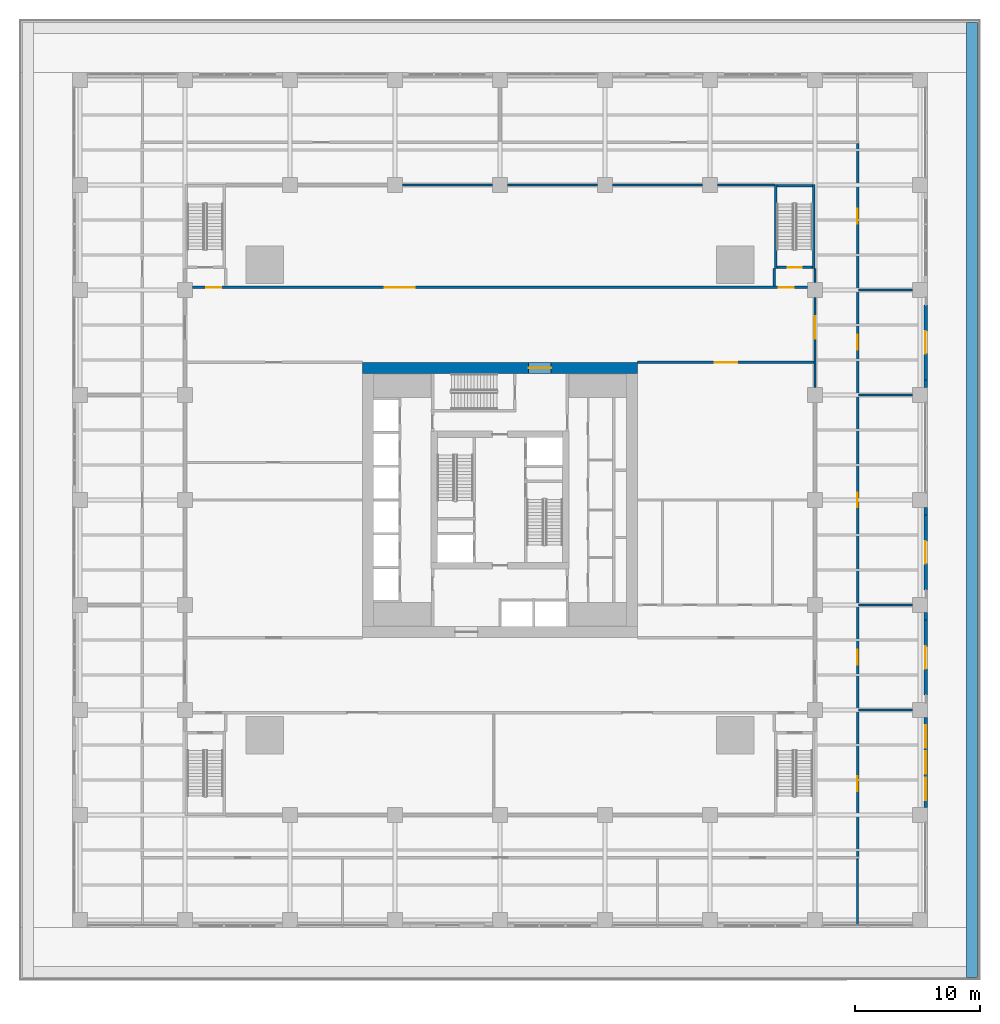
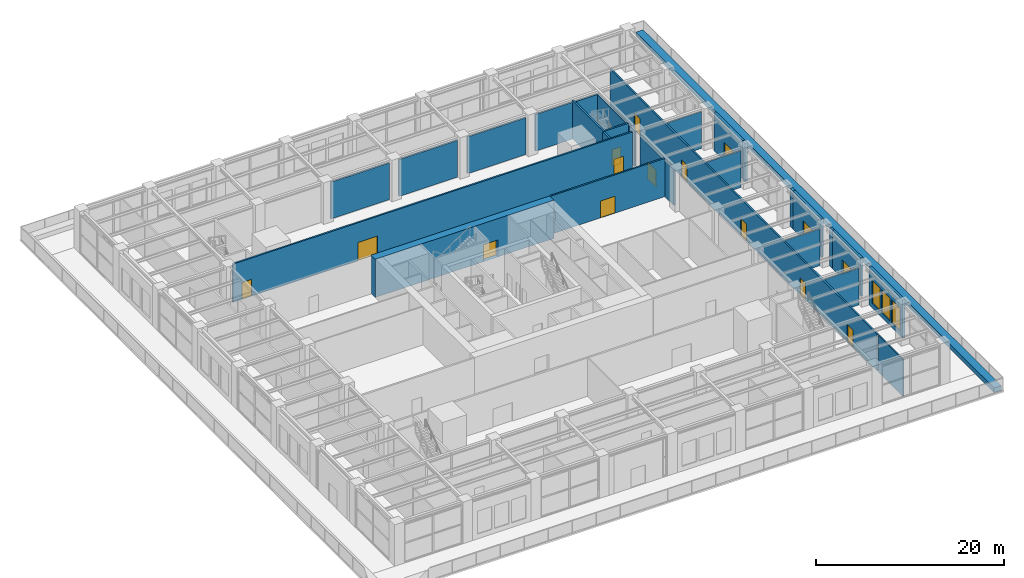
# One storey, part 26 of 36: 28 walls, 15 doors, 3 windows, 18 openings.
"""IFC4 building model written with IfcOpenShell, lengths in metres."""

from ifc_helpers import new_model, si_unit, direction, frame, frame_2d, origin, place, context, subcontext, project, spatial, rectangle, extrude, material, layer, layer_set, type_object, element, fill, save


model = new_model("IFC4")

# Units and contexts
model_context = context("Model", 3, precision=1e-05, world=origin(), true_north=direction((0.0, 1.0)))
body_context = subcontext(model_context, "Body", "Model", "MODEL_VIEW")
ifc_project = project(units=[si_unit("LENGTHUNIT", "METRE"), si_unit("AREAUNIT", "SQUARE_METRE"), si_unit("VOLUMEUNIT", "CUBIC_METRE"), si_unit("PLANEANGLEUNIT", "RADIAN"), si_unit("MASSUNIT", "GRAM", prefix="KILO")], contexts=[model_context])

# Site, building, storey
site_placement = place(None, origin())
site = spatial("IfcSite", under=ifc_project, at=site_placement, CompositionType="ELEMENT")
building_placement = place(site_placement, origin())
building = spatial("IfcBuilding", under=site, at=building_placement, Name="Khepri Terraces", CompositionType="ELEMENT")
storey_placement = place(building_placement, frame((0.0, 0.0, 16.800048828125)))
storey = spatial("IfcBuildingStorey", under=building, at=storey_placement, Name="L03", CompositionType="ELEMENT", Elevation=16.800048828125)

# Wall, opening, door
ifc_material_1 = material(Name="Concrete C80/95", Category="concrete")
ifc_layer_1 = layer(ifc_material_1, 0.89990234375, Name="Concrete C80/95", Category="concrete")
ifc_layer_set_1 = layer_set([ifc_layer_1], Name="Concrete C80/95")
wall_type_1 = type_object("IfcWallType", Name="Core wall 900 C80/95", PredefinedType="SHEAR", material=ifc_layer_set_1)
wall_1_placement = place(storey_placement, frame((-11.0, 10.550048828125, 0.0), z_axis=(0.0, 0.0, 1.0), x_axis=(1.0, 0.0, 0.0)))
wall_1 = element("IfcWall", 1, at=wall_1_placement, inside=storey, type_object=wall_type_1, Name="Core wall OW-N L03", PredefinedType="SHEAR", context=body_context, shape_type="SweptSolid", body=[
    extrude(rectangle(XDim=22.0, YDim=0.89990234375, at=frame_2d((11.0, 0.0))), origin(), (0.0, 0.0, 1.0), 4.97998046875),
])
opening_1_placement = place(wall_1_placement, frame((13.300048828125, 0.0, 0.0)))
opening_1 = element("IfcOpeningElement", 2, at=opening_1_placement, cuts=wall_1, Name="Opening L03-C20", PredefinedType="OPENING", context=body_context, shape_type="SweptSolid", body=[
    extrude(rectangle(XDim=1.800048828125, YDim=2.199951171875, at=frame_2d((0.89990234375, 1.10009765625))), frame((0.0, 0.4599609375, 0.0), z_axis=(0.0, -1.0, 0.0), x_axis=(1.0, 0.0, 0.0)), (0.0, 0.0, 1.0), 0.919921875),
])
ifc_material_2 = material(Name="Painted steel", Category="steel")
door_type_1 = type_object("IfcDoorType", Name="DR-CORE-ENTRANCE-1800", OperationType="NOTDEFINED", PredefinedType="DOOR", material=ifc_material_2)
door_1_placement = place(opening_1_placement, origin())
door_1 = element("IfcDoor", 3, at=door_1_placement, inside=storey, type_object=door_type_1, Name="Core entrance door pair L03-C20", OperationType="DOUBLE_DOOR_SINGLE_SWING", OverallHeight=2.199951171875, OverallWidth=1.800048828125, PredefinedType="DOOR", context=body_context, shape_type="SweptSolid", body=[
    extrude(rectangle(XDim=1.800048828125, YDim=2.199951171875, at=frame_2d((0.89990234375, 1.10009765625))), frame((0.0, 0.02490234375, 0.0), z_axis=(0.0, -1.0, 0.0), x_axis=(1.0, 0.0, 0.0)), (0.0, 0.0, 1.0), 0.050048828125),
])
fill(opening_1, door_1)

# Wall, openings, windows
ifc_material_3 = material(Name="Precast concrete C50/60 warm stone", Category="masonry")
ifc_layer_2 = layer(ifc_material_3, 0.300048828125, Name="Precast concrete C50/60 warm stone", Category="masonry")
ifc_layer_set_2 = layer_set([ifc_layer_2], Name="Precast concrete C50/60 warm stone")
wall_type_2 = type_object("IfcWallType", Name="WL-EXT-PRECAST-300", PredefinedType="STANDARD", material=ifc_layer_set_2)
wall_2_placement = place(storey_placement, frame((34.050048828125, -24.60009765625, 0.0), z_axis=(0.0, 0.0, 1.0), x_axis=(0.0, 1.0, 0.0)))
wall_2 = element("IfcWall", 4, at=wall_2_placement, inside=storey, type_object=wall_type_2, Name="External wall L03 E", PredefinedType="STANDARD", context=body_context, shape_type="SweptSolid", body=[
    extrude(rectangle(XDim=7.2001953125, YDim=0.300048828125, at=frame_2d((3.60009765625, 0.0))), origin(), (0.0, 0.0, 1.0), 4.97998046875),
])
opening_2_placement = place(wall_2_placement, frame((0.60009765625, 0.0, 0.60009765625)))
opening_2 = element("IfcOpeningElement", 5, at=opening_2_placement, cuts=wall_2, Name="Opening WP1", PredefinedType="OPENING", context=body_context, shape_type="SweptSolid", body=[
    extrude(rectangle(XDim=1.800048828125, YDim=3.0, at=frame_2d((0.89990234375, 1.5))), frame((0.0, 0.16015625, 0.0), z_axis=(0.0, -1.0, 0.0), x_axis=(1.0, 0.0, 0.0)), (0.0, 0.0, 1.0), 0.320068359375),
])
opening_3_placement = place(wall_2_placement, frame((2.699951171875, 0.0, 0.60009765625)))
opening_3 = element("IfcOpeningElement", 6, at=opening_3_placement, cuts=wall_2, Name="Opening WP1", PredefinedType="OPENING", context=body_context, shape_type="SweptSolid", body=[
    extrude(rectangle(XDim=1.800048828125, YDim=3.0, at=frame_2d((0.89990234375, 1.5))), frame((0.0, 0.16015625, 0.0), z_axis=(0.0, -1.0, 0.0), x_axis=(1.0, 0.0, 0.0)), (0.0, 0.0, 1.0), 0.320068359375),
])
opening_4_placement = place(wall_2_placement, frame((4.800048828125, 0.0, 0.60009765625)))
opening_4 = element("IfcOpeningElement", 7, at=opening_4_placement, cuts=wall_2, Name="Opening WP1", PredefinedType="OPENING", context=body_context, shape_type="SweptSolid", body=[
    extrude(rectangle(XDim=1.800048828125, YDim=3.0, at=frame_2d((0.89990234375, 1.5))), frame((0.0, 0.16015625, 0.0), z_axis=(0.0, -1.0, 0.0), x_axis=(1.0, 0.0, 0.0)), (0.0, 0.0, 1.0), 0.320068359375),
])
ifc_material_4 = material(Name="Clear glass", Category="glass")
window_type = type_object("IfcWindowType", Name="WIN-POD-1800x3000", PartitioningType="SINGLE_PANEL", PredefinedType="WINDOW", material=ifc_material_4)
window_1_placement = place(opening_2_placement, origin())
window_1 = element("IfcWindow", 8, at=window_1_placement, inside=storey, type_object=window_type, Name="Window L03 E", OverallHeight=3.0, OverallWidth=1.800048828125, PartitioningType="SINGLE_PANEL", PredefinedType="WINDOW", context=body_context, shape_type="SweptSolid", body=[
    extrude(rectangle(XDim=1.800048828125, YDim=3.0, at=frame_2d((0.89990234375, 1.5))), frame((0.0, 0.030029296875, 0.0), z_axis=(0.0, -1.0, 0.0), x_axis=(1.0, 0.0, 0.0)), (0.0, 0.0, 1.0), 0.06005859375),
])
fill(opening_2, window_1)
window_2_placement = place(opening_3_placement, origin())
window_2 = element("IfcWindow", 9, at=window_2_placement, inside=storey, type_object=window_type, Name="Window L03 E", OverallHeight=3.0, OverallWidth=1.800048828125, PartitioningType="SINGLE_PANEL", PredefinedType="WINDOW", context=body_context, shape_type="SweptSolid", body=[
    extrude(rectangle(XDim=1.800048828125, YDim=3.0, at=frame_2d((0.89990234375, 1.5))), frame((0.0, 0.030029296875, 0.0), z_axis=(0.0, -1.0, 0.0), x_axis=(1.0, 0.0, 0.0)), (0.0, 0.0, 1.0), 0.06005859375),
])
fill(opening_3, window_2)
window_3_placement = place(opening_4_placement, origin())
window_3 = element("IfcWindow", 10, at=window_3_placement, inside=storey, type_object=window_type, Name="Window L03 E", OverallHeight=3.0, OverallWidth=1.800048828125, PartitioningType="SINGLE_PANEL", PredefinedType="WINDOW", context=body_context, shape_type="SweptSolid", body=[
    extrude(rectangle(XDim=1.800048828125, YDim=3.0, at=frame_2d((0.89990234375, 1.5))), frame((0.0, 0.030029296875, 0.0), z_axis=(0.0, -1.0, 0.0), x_axis=(1.0, 0.0, 0.0)), (0.0, 0.0, 1.0), 0.06005859375),
])
fill(opening_4, window_3)

# Wall, opening, door
wall_3_placement = place(storey_placement, frame((34.050048828125, -15.60009765625, 0.0), z_axis=(0.0, 0.0, 1.0), x_axis=(0.0, 1.0, 0.0)))
wall_3 = element("IfcWall", 11, at=wall_3_placement, inside=storey, type_object=wall_type_2, Name="External wall L03 E", PredefinedType="STANDARD", context=body_context, shape_type="SweptSolid", body=[
    extrude(rectangle(XDim=6.0, YDim=0.300048828125, at=frame_2d((3.0, 0.0))), origin(), (0.0, 0.0, 1.0), 4.97998046875),
])
opening_5_placement = place(wall_3_placement, frame((2.10009765625, 0.0, 0.0)))
opening_5 = element("IfcOpeningElement", 12, at=opening_5_placement, cuts=wall_3, Name="Opening ED-L03-02", PredefinedType="OPENING", context=body_context, shape_type="SweptSolid", body=[
    extrude(rectangle(XDim=1.800048828125, YDim=2.39990234375, at=frame_2d((0.89990234375, 1.199951171875))), frame((0.0, 0.16015625, 0.0), z_axis=(0.0, -1.0, 0.0), x_axis=(1.0, 0.0, 0.0)), (0.0, 0.0, 1.0), 0.320068359375),
])
ifc_material_5 = material(Name="Anodised aluminium bronze glazed door", Category="aluminium")
door_type_2 = type_object("IfcDoorType", Name="DR-BAL-SLIDE-1800x2400", OperationType="NOTDEFINED", PredefinedType="DOOR", material=ifc_material_5)
door_2_placement = place(opening_5_placement, origin())
door_2 = element("IfcDoor", 13, at=door_2_placement, inside=storey, type_object=door_type_2, Name="Balcony door L03 E", OperationType="SLIDING_TO_RIGHT", OverallHeight=2.39990234375, OverallWidth=1.800048828125, PredefinedType="DOOR", context=body_context, shape_type="SweptSolid", body=[
    extrude(rectangle(XDim=1.800048828125, YDim=2.39990234375, at=frame_2d((0.89990234375, 1.199951171875))), frame((0.0, 0.02490234375, 0.0), z_axis=(0.0, -1.0, 0.0), x_axis=(1.0, 0.0, 0.0)), (0.0, 0.0, 1.0), 0.050048828125),
])
fill(opening_5, door_2)

# Wall
wall_4_placement = place(storey_placement, frame((34.050048828125, -9.60009765625, 0.0), z_axis=(0.0, 0.0, 1.0), x_axis=(0.0, 1.0, 0.0)))
element("IfcWall", 14, at=wall_4_placement, inside=storey, type_object=wall_type_2, Name="External wall L03 E", PredefinedType="STANDARD", context=body_context, shape_type="SweptSolid", body=[
    extrude(rectangle(XDim=0.60009765625, YDim=0.300048828125, at=frame_2d((0.300048828125, 0.0))), origin(), (0.0, 0.0, 1.0), 4.97998046875),
])

# Wall, opening, door
wall_5_placement = place(storey_placement, frame((34.050048828125, -7.199951171875, 0.0), z_axis=(0.0, 0.0, 1.0), x_axis=(0.0, 1.0, 0.0)))
wall_5 = element("IfcWall", 15, at=wall_5_placement, inside=storey, type_object=wall_type_2, Name="External wall L03 E", PredefinedType="STANDARD", context=body_context, shape_type="SweptSolid", body=[
    extrude(rectangle(XDim=6.0, YDim=0.300048828125, at=frame_2d((3.0, 0.0))), origin(), (0.0, 0.0, 1.0), 4.97998046875),
])
opening_6_placement = place(wall_5_placement, frame((2.10009765625, 0.0, 0.0)))
opening_6 = element("IfcOpeningElement", 16, at=opening_6_placement, cuts=wall_5, Name="Opening ED-L03-03", PredefinedType="OPENING", context=body_context, shape_type="SweptSolid", body=[
    extrude(rectangle(XDim=1.800048828125, YDim=2.39990234375, at=frame_2d((0.89990234375, 1.199951171875))), frame((0.0, 0.16015625, 0.0), z_axis=(0.0, -1.0, 0.0), x_axis=(1.0, 0.0, 0.0)), (0.0, 0.0, 1.0), 0.320068359375),
])
door_3_placement = place(opening_6_placement, origin())
door_3 = element("IfcDoor", 17, at=door_3_placement, inside=storey, type_object=door_type_2, Name="Balcony door L03 E", OperationType="SLIDING_TO_LEFT", OverallHeight=2.39990234375, OverallWidth=1.800048828125, PredefinedType="DOOR", context=body_context, shape_type="SweptSolid", body=[
    extrude(rectangle(XDim=1.800048828125, YDim=2.39990234375, at=frame_2d((0.89990234375, 1.199951171875))), frame((0.0, 0.02490234375, 0.0), z_axis=(0.0, -1.0, 0.0), x_axis=(1.0, 0.0, 0.0)), (0.0, 0.0, 1.0), 0.050048828125),
])
fill(opening_6, door_3)

# Walls
wall_6_placement = place(storey_placement, frame((34.050048828125, -1.199951171875, 0.0), z_axis=(0.0, 0.0, 1.0), x_axis=(0.0, 1.0, 0.0)))
element("IfcWall", 18, at=wall_6_placement, inside=storey, type_object=wall_type_2, Name="External wall L03 E", PredefinedType="STANDARD", context=body_context, shape_type="SweptSolid", body=[
    extrude(rectangle(XDim=0.599853515625, YDim=0.300048828125, at=frame_2d((0.2998046875, 0.0))), origin(), (0.0, 0.0, 1.0), 4.97998046875),
])
wall_7_placement = place(storey_placement, frame((34.050048828125, 9.0, 0.0), z_axis=(0.0, 0.0, 1.0), x_axis=(0.0, 1.0, 0.0)))
element("IfcWall", 19, at=wall_7_placement, inside=storey, type_object=wall_type_2, Name="External wall L03 E", PredefinedType="STANDARD", context=body_context, shape_type="SweptSolid", body=[
    extrude(rectangle(XDim=0.60009765625, YDim=0.300048828125, at=frame_2d((0.300048828125, 0.0))), origin(), (0.0, 0.0, 1.0), 4.97998046875),
])

# Wall, opening, door
wall_8_placement = place(storey_placement, frame((34.050048828125, 9.60009765625, 0.0), z_axis=(0.0, 0.0, 1.0), x_axis=(0.0, 1.0, 0.0)))
wall_8 = element("IfcWall", 20, at=wall_8_placement, inside=storey, type_object=wall_type_2, Name="External wall L03 E", PredefinedType="STANDARD", context=body_context, shape_type="SweptSolid", body=[
    extrude(rectangle(XDim=6.0, YDim=0.300048828125, at=frame_2d((3.0, 0.0))), origin(), (0.0, 0.0, 1.0), 4.97998046875),
])
opening_7_placement = place(wall_8_placement, frame((2.10009765625, 0.0, 0.0)))
opening_7 = element("IfcOpeningElement", 21, at=opening_7_placement, cuts=wall_8, Name="Opening ED-L03-04", PredefinedType="OPENING", context=body_context, shape_type="SweptSolid", body=[
    extrude(rectangle(XDim=1.800048828125, YDim=2.39990234375, at=frame_2d((0.89990234375, 1.199951171875))), frame((0.0, 0.16015625, 0.0), z_axis=(0.0, -1.0, 0.0), x_axis=(1.0, 0.0, 0.0)), (0.0, 0.0, 1.0), 0.320068359375),
])
door_4_placement = place(opening_7_placement, origin())
door_4 = element("IfcDoor", 22, at=door_4_placement, inside=storey, type_object=door_type_2, Name="Balcony door L03 E", OperationType="SLIDING_TO_RIGHT", OverallHeight=2.39990234375, OverallWidth=1.800048828125, PredefinedType="DOOR", context=body_context, shape_type="SweptSolid", body=[
    extrude(rectangle(XDim=1.800048828125, YDim=2.39990234375, at=frame_2d((0.89990234375, 1.199951171875))), frame((0.0, 0.02490234375, 0.0), z_axis=(0.0, -1.0, 0.0), x_axis=(1.0, 0.0, 0.0)), (0.0, 0.0, 1.0), 0.050048828125),
])
fill(opening_7, door_4)

# Walls
ifc_layer_3 = layer(ifc_material_3, 0.89990234375, Name="Precast concrete C50/60 warm stone", Category="masonry")
ifc_layer_set_3 = layer_set([ifc_layer_3], Name="Precast concrete C50/60 warm stone")
wall_type_3 = type_object("IfcWallType", Name="WL-PLANTER-900", PredefinedType="MOVABLE", material=ifc_layer_set_3)
wall_9_placement = place(storey_placement, frame((37.75, -38.199951171875, 0.0), z_axis=(0.0, 0.0, 1.0), x_axis=(0.0, 1.0, 0.0)))
element("IfcWall", 23, at=wall_9_placement, inside=storey, type_object=wall_type_3, Name="Planter L03", PredefinedType="MOVABLE", context=body_context, shape_type="SweptSolid", body=[
    extrude(rectangle(XDim=76.39990234375, YDim=0.89990234375, at=frame_2d((38.199951171875, 0.0))), origin(), (0.0, 0.0, 1.0), 0.599853515625),
])
ifc_material_6 = material(Name="Gypsum board partition")
ifc_layer_4 = layer(ifc_material_6, 0.14990234375, Name="Gypsum board partition")
ifc_layer_set_4 = layer_set([ifc_layer_4], Name="Gypsum board partition")
wall_type_4 = type_object("IfcWallType", Name="WL-POD-150", PredefinedType="PARTITIONING", material=ifc_layer_set_4)
for number, where, z_axis, x_axis, name in (
    (24, (28.699951171875, -16.800048828125, 0.0), (0.0, 0.0, 1.0), (1.0, 0.0, 0.0), "Partition L03-PW009"),
    (25, (28.699951171875, -8.39990234375, 0.0), (0.0, 0.0, 1.0), (1.0, 0.0, 0.0), "Partition L03-PW014"),
    (26, (28.699951171875, 8.39990234375, 0.0), (0.0, 0.0, 1.0), (1.0, 0.0, 0.0), "Partition L03-PW019"),
    (27, (28.699951171875, 16.800048828125, 0.0), (0.0, 0.0, 1.0), (1.0, 0.0, 0.0), "Partition L03-PW022"),
):
    element("IfcWall", number, at=place(storey_placement, frame(where, z_axis=z_axis, x_axis=x_axis)), inside=storey, type_object=wall_type_4, Name=name, PredefinedType="PARTITIONING", context=body_context, shape_type="SweptSolid", body=[
        extrude(rectangle(XDim=4.300048828125, YDim=0.14990234375, at=frame_2d((2.14990234375, 0.0))), origin(), (0.0, 0.0, 1.0), 4.780029296875),
    ])
wall_10_placement = place(storey_placement, frame((28.60009765625, -33.949951171875, 0.0), z_axis=(0.0, 0.0, 1.0), x_axis=(0.0, 1.0, 0.0)))
element("IfcWall", 28, at=wall_10_placement, inside=storey, type_object=wall_type_4, Name="Partition L03-PW057", PredefinedType="PARTITIONING", context=body_context, shape_type="SweptSolid", body=[
    extrude(rectangle(XDim=5.25, YDim=0.14990234375, at=frame_2d((2.625, 0.0))), origin(), (0.0, 0.0, 1.0), 4.780029296875),
])

# Wall, opening, door
ifc_material_7 = material(Name="Fire-rated block wall")
ifc_layer_5 = layer(ifc_material_7, 0.199951171875, Name="Fire-rated block wall")
ifc_layer_set_5 = layer_set([ifc_layer_5], Name="Fire-rated block wall")
wall_type_5 = type_object("IfcWallType", Name="WL-POD-200-EI60", PredefinedType="PARTITIONING", material=ifc_layer_set_5)
wall_11_placement = place(storey_placement, frame((11.0, 11.0, 0.0), z_axis=(0.0, 0.0, 1.0), x_axis=(1.0, 0.0, 0.0)))
wall_11 = element("IfcWall", 29, at=wall_11_placement, inside=storey, type_object=wall_type_5, Name="Partition L03-PW021", PredefinedType="PARTITIONING", context=body_context, shape_type="SweptSolid", body=[
    extrude(rectangle(XDim=14.10009765625, YDim=0.199951171875, at=frame_2d((7.050048828125, 0.0))), origin(), (0.0, 0.0, 1.0), 4.97998046875),
])
opening_8_placement = place(wall_11_placement, frame((6.199951171875, 0.0, 0.0)))
opening_8 = element("IfcOpeningElement", 30, at=opening_8_placement, cuts=wall_11, Name="Opening L03-P23", PredefinedType="OPENING", context=body_context, shape_type="SweptSolid", body=[
    extrude(rectangle(XDim=1.800048828125, YDim=2.199951171875, at=frame_2d((0.89990234375, 1.10009765625))), frame((0.0, 0.10986328125, 0.0), z_axis=(0.0, -1.0, 0.0), x_axis=(1.0, 0.0, 0.0)), (0.0, 0.0, 1.0), 0.219970703125),
])
ifc_material_8 = material(Name="Glazed aluminium", Category="aluminium")
door_type_3 = type_object("IfcDoorType", Name="DR-POD-PAIR-1800", OperationType="DOUBLE_DOOR_SINGLE_SWING", PredefinedType="DOOR", material=ifc_material_8)
door_5_placement = place(opening_8_placement, origin())
door_5 = element("IfcDoor", 31, at=door_5_placement, inside=storey, type_object=door_type_3, Name="Double door L03-P23", OperationType="DOUBLE_DOOR_SINGLE_SWING", OverallHeight=2.199951171875, OverallWidth=1.800048828125, PredefinedType="DOOR", context=body_context, shape_type="SweptSolid", body=[
    extrude(rectangle(XDim=1.800048828125, YDim=2.199951171875, at=frame_2d((0.89990234375, 1.10009765625))), frame((0.0, 0.02490234375, 0.0), z_axis=(0.0, -1.0, 0.0), x_axis=(1.0, 0.0, 0.0)), (0.0, 0.0, 1.0), 0.050048828125),
])
fill(opening_8, door_5)

# Wall, openings, doors
wall_12_placement = place(storey_placement, frame((-24.60009765625, 17.0, 0.0), z_axis=(0.0, 0.0, 1.0), x_axis=(1.0, 0.0, 0.0)))
wall_12 = element("IfcWall", 32, at=wall_12_placement, inside=storey, type_object=wall_type_5, Name="Partition L03-PW023", PredefinedType="PARTITIONING", context=body_context, shape_type="SweptSolid", body=[
    extrude(rectangle(XDim=49.2001953125, YDim=0.199951171875, at=frame_2d((24.60009765625, 0.0))), origin(), (0.0, 0.0, 1.0), 4.97998046875),
])
opening_9_placement = place(wall_12_placement, frame((1.10009765625, 0.0, 0.0)))
opening_9 = element("IfcOpeningElement", 33, at=opening_9_placement, cuts=wall_12, Name="Opening L03-P27", PredefinedType="OPENING", context=body_context, shape_type="SweptSolid", body=[
    extrude(rectangle(XDim=1.199951171875, YDim=2.199951171875, at=frame_2d((0.60009765625, 1.10009765625))), frame((0.0, 0.10986328125, 0.0), z_axis=(0.0, -1.0, 0.0), x_axis=(1.0, 0.0, 0.0)), (0.0, 0.0, 1.0), 0.219970703125),
])
opening_10_placement = place(wall_12_placement, frame((15.39990234375, 0.0, 0.0)))
opening_10 = element("IfcOpeningElement", 34, at=opening_10_placement, cuts=wall_12, Name="Opening L03-P28", PredefinedType="OPENING", context=body_context, shape_type="SweptSolid", body=[
    extrude(rectangle(XDim=2.39990234375, YDim=2.39990234375, at=frame_2d((1.199951171875, 1.199951171875))), frame((0.0, 0.10986328125, 0.0), z_axis=(0.0, -1.0, 0.0), x_axis=(1.0, 0.0, 0.0)), (0.0, 0.0, 1.0), 0.219970703125),
])
opening_11_placement = place(wall_12_placement, frame((46.89990234375, 0.0, 0.0)))
opening_11 = element("IfcOpeningElement", 35, at=opening_11_placement, cuts=wall_12, Name="Opening L03-P29", PredefinedType="OPENING", context=body_context, shape_type="SweptSolid", body=[
    extrude(rectangle(XDim=1.199951171875, YDim=2.199951171875, at=frame_2d((0.60009765625, 1.10009765625))), frame((0.0, 0.10986328125, 0.0), z_axis=(0.0, -1.0, 0.0), x_axis=(1.0, 0.0, 0.0)), (0.0, 0.0, 1.0), 0.219970703125),
])
door_type_4 = type_object("IfcDoorType", Name="DR-POD-FIRE-1200", OperationType="NOTDEFINED", PredefinedType="DOOR", material=ifc_material_2)
door_6_placement = place(opening_9_placement, origin())
door_6 = element("IfcDoor", 36, at=door_6_placement, inside=storey, type_object=door_type_4, Name="Fire door L03-P27", OperationType="SINGLE_SWING_RIGHT", OverallHeight=2.199951171875, OverallWidth=1.199951171875, PredefinedType="DOOR", context=body_context, shape_type="SweptSolid", body=[
    extrude(rectangle(XDim=1.199951171875, YDim=2.199951171875, at=frame_2d((0.60009765625, 1.10009765625))), frame((0.0, 0.02490234375, 0.0), z_axis=(0.0, -1.0, 0.0), x_axis=(1.0, 0.0, 0.0)), (0.0, 0.0, 1.0), 0.050048828125),
])
fill(opening_9, door_6)
door_7_placement = place(opening_11_placement, origin())
door_7 = element("IfcDoor", 37, at=door_7_placement, inside=storey, type_object=door_type_4, Name="Fire door L03-P29", OperationType="SINGLE_SWING_LEFT", OverallHeight=2.199951171875, OverallWidth=1.199951171875, PredefinedType="DOOR", context=body_context, shape_type="SweptSolid", body=[
    extrude(rectangle(XDim=1.199951171875, YDim=2.199951171875, at=frame_2d((0.60009765625, 1.10009765625))), frame((0.0, 0.02490234375, 0.0), z_axis=(0.0, -1.0, 0.0), x_axis=(1.0, 0.0, 0.0)), (0.0, 0.0, 1.0), 0.050048828125),
])
fill(opening_11, door_7)
ifc_material_9 = material(Name="Timber veneer", Category="wood")
door_type_5 = type_object("IfcDoorType", Name="DR-POD-PAIR-2400", OperationType="DOUBLE_DOOR_SINGLE_SWING", PredefinedType="DOOR", material=ifc_material_9)
door_8_placement = place(opening_10_placement, origin())
door_8 = element("IfcDoor", 38, at=door_8_placement, inside=storey, type_object=door_type_5, Name="Double door L03-P28", OperationType="DOUBLE_DOOR_SINGLE_SWING", OverallHeight=2.39990234375, OverallWidth=2.39990234375, PredefinedType="DOOR", context=body_context, shape_type="SweptSolid", body=[
    extrude(rectangle(XDim=2.39990234375, YDim=2.39990234375, at=frame_2d((1.199951171875, 1.199951171875))), frame((0.0, 0.02490234375, 0.0), z_axis=(0.0, -1.0, 0.0), x_axis=(1.0, 0.0, 0.0)), (0.0, 0.0, 1.0), 0.050048828125),
])
fill(opening_10, door_8)

# Walls
for number, where, z_axis, x_axis, name in (
    (39, (-7.800048828125, 25.199951171875, 0.0), (0.0, 0.0, 1.0), (1.0, 0.0, 0.0), "Partition L03-PW026"),
    (40, (0.60009765625, 25.199951171875, 0.0), (0.0, 0.0, 1.0), (1.0, 0.0, 0.0), "Partition L03-PW027"),
    (41, (9.0, 25.199951171875, 0.0), (0.0, 0.0, 1.0), (1.0, 0.0, 0.0), "Partition L03-PW028"),
):
    element("IfcWall", number, at=place(storey_placement, frame(where, z_axis=z_axis, x_axis=x_axis)), inside=storey, type_object=wall_type_5, Name=name, PredefinedType="PARTITIONING", context=body_context, shape_type="SweptSolid", body=[
        extrude(rectangle(XDim=7.199951171875, YDim=0.199951171875, at=frame_2d((3.60009765625, 0.0))), origin(), (0.0, 0.0, 1.0), 4.780029296875),
    ])
wall_13_placement = place(storey_placement, frame((17.39990234375, 25.199951171875, 0.0), z_axis=(0.0, 0.0, 1.0), x_axis=(1.0, 0.0, 0.0)))
element("IfcWall", 42, at=wall_13_placement, inside=storey, type_object=wall_type_5, Name="Partition L03-PW029", PredefinedType="PARTITIONING", context=body_context, shape_type="SweptSolid", body=[
    extrude(rectangle(XDim=4.550048828125, YDim=0.199951171875, at=frame_2d((2.27490234375, 0.0))), origin(), (0.0, 0.0, 1.0), 4.780029296875),
])
wall_14_placement = place(storey_placement, frame((21.949951171875, 17.10009765625, 0.0), z_axis=(0.0, 0.0, 1.0), x_axis=(0.0, 1.0, 0.0)))
element("IfcWall", 43, at=wall_14_placement, inside=storey, type_object=wall_type_5, Name="Partition L03-PW050", PredefinedType="PARTITIONING", context=body_context, shape_type="SweptSolid", body=[
    extrude(rectangle(XDim=1.39990234375, YDim=0.199951171875, at=frame_2d((0.699951171875, 0.0))), origin(), (0.0, 0.0, 1.0), 4.97998046875),
])

# Wall, opening, door
wall_15_placement = place(storey_placement, frame((25.199951171875, 9.0, 0.0), z_axis=(0.0, 0.0, 1.0), x_axis=(0.0, 1.0, 0.0)))
wall_15 = element("IfcWall", 44, at=wall_15_placement, inside=storey, type_object=wall_type_5, Name="Partition L03-PW055", PredefinedType="PARTITIONING", context=body_context, shape_type="SweptSolid", body=[
    extrude(rectangle(XDim=7.199951171875, YDim=0.199951171875, at=frame_2d((3.60009765625, 0.0))), origin(), (0.0, 0.0, 1.0), 4.679931640625),
])
opening_12_placement = place(wall_15_placement, frame((3.89990234375, 0.0, 0.0)))
opening_12 = element("IfcOpeningElement", 45, at=opening_12_placement, cuts=wall_15, Name="Opening L03-P26", PredefinedType="OPENING", context=body_context, shape_type="SweptSolid", body=[
    extrude(rectangle(XDim=1.800048828125, YDim=2.199951171875, at=frame_2d((0.89990234375, 1.10009765625))), frame((0.0, 0.10986328125, 0.0), z_axis=(0.0, -1.0, 0.0), x_axis=(1.0, 0.0, 0.0)), (0.0, 0.0, 1.0), 0.219970703125),
])
door_type_6 = type_object("IfcDoorType", Name="DR-POD-FIRE-PAIR-1800", OperationType="DOUBLE_DOOR_SINGLE_SWING", PredefinedType="DOOR", material=ifc_material_2)
door_9_placement = place(opening_12_placement, origin())
door_9 = element("IfcDoor", 46, at=door_9_placement, inside=storey, type_object=door_type_6, Name="Fire door pair L03-P26", OperationType="DOUBLE_DOOR_SINGLE_SWING", OverallHeight=2.199951171875, OverallWidth=1.800048828125, PredefinedType="DOOR", context=body_context, shape_type="SweptSolid", body=[
    extrude(rectangle(XDim=1.800048828125, YDim=2.199951171875, at=frame_2d((0.89990234375, 1.10009765625))), frame((0.0, 0.02490234375, 0.0), z_axis=(0.0, -1.0, 0.0), x_axis=(1.0, 0.0, 0.0)), (0.0, 0.0, 1.0), 0.050048828125),
])
fill(opening_12, door_9)

# Wall
wall_16_placement = place(storey_placement, frame((25.199951171875, 17.39990234375, 0.0), z_axis=(0.0, 0.0, 1.0), x_axis=(0.0, 1.0, 0.0)))
element("IfcWall", 47, at=wall_16_placement, inside=storey, type_object=wall_type_5, Name="Partition L03-PW056", PredefinedType="PARTITIONING", context=body_context, shape_type="SweptSolid", body=[
    extrude(rectangle(XDim=1.10009765625, YDim=0.199951171875, at=frame_2d((0.550048828125, 0.0))), origin(), (0.0, 0.0, 1.0), 4.679931640625),
])

# Wall, openings, doors
wall_17_placement = place(storey_placement, frame((28.60009765625, -28.5, 0.0), z_axis=(0.0, 0.0, 1.0), x_axis=(0.0, 1.0, 0.0)))
wall_17 = element("IfcWall", 48, at=wall_17_placement, inside=storey, type_object=wall_type_5, Name="Partition L03-PW058", PredefinedType="PARTITIONING", context=body_context, shape_type="SweptSolid", body=[
    extrude(rectangle(XDim=57.0, YDim=0.199951171875, at=frame_2d((28.5, 0.0))), origin(), (0.0, 0.0, 1.0), 4.780029296875),
])
opening_13_placement = place(wall_17_placement, frame((5.199951171875, 0.0, 0.0)))
opening_13 = element("IfcOpeningElement", 49, at=opening_13_placement, cuts=wall_17, Name="Opening L03-P04", PredefinedType="OPENING", context=body_context, shape_type="SweptSolid", body=[
    extrude(rectangle(XDim=1.199951171875, YDim=2.199951171875, at=frame_2d((0.60009765625, 1.10009765625))), frame((0.0, 0.10986328125, 0.0), z_axis=(0.0, -1.0, 0.0), x_axis=(1.0, 0.0, 0.0)), (0.0, 0.0, 1.0), 0.219970703125),
])
opening_14_placement = place(wall_17_placement, frame((15.300048828125, 0.0, 0.0)))
opening_14 = element("IfcOpeningElement", 50, at=opening_14_placement, cuts=wall_17, Name="Opening L03-P12", PredefinedType="OPENING", context=body_context, shape_type="SweptSolid", body=[
    extrude(rectangle(XDim=1.199951171875, YDim=2.199951171875, at=frame_2d((0.60009765625, 1.10009765625))), frame((0.0, 0.10986328125, 0.0), z_axis=(0.0, -1.0, 0.0), x_axis=(1.0, 0.0, 0.0)), (0.0, 0.0, 1.0), 0.219970703125),
])
opening_15_placement = place(wall_17_placement, frame((27.89990234375, 0.0, 0.0)))
opening_15 = element("IfcOpeningElement", 51, at=opening_15_placement, cuts=wall_17, Name="Opening L03-P20", PredefinedType="OPENING", context=body_context, shape_type="SweptSolid", body=[
    extrude(rectangle(XDim=1.199951171875, YDim=2.199951171875, at=frame_2d((0.60009765625, 1.10009765625))), frame((0.0, 0.10986328125, 0.0), z_axis=(0.0, -1.0, 0.0), x_axis=(1.0, 0.0, 0.0)), (0.0, 0.0, 1.0), 0.219970703125),
])
opening_16_placement = place(wall_17_placement, frame((40.5, 0.0, 0.0)))
opening_16 = element("IfcOpeningElement", 52, at=opening_16_placement, cuts=wall_17, Name="Opening L03-P24", PredefinedType="OPENING", context=body_context, shape_type="SweptSolid", body=[
    extrude(rectangle(XDim=1.199951171875, YDim=2.199951171875, at=frame_2d((0.60009765625, 1.10009765625))), frame((0.0, 0.10986328125, 0.0), z_axis=(0.0, -1.0, 0.0), x_axis=(1.0, 0.0, 0.0)), (0.0, 0.0, 1.0), 0.219970703125),
])
opening_17_placement = place(wall_17_placement, frame((50.60009765625, 0.0, 0.0)))
opening_17 = element("IfcOpeningElement", 53, at=opening_17_placement, cuts=wall_17, Name="Opening L03-P31", PredefinedType="OPENING", context=body_context, shape_type="SweptSolid", body=[
    extrude(rectangle(XDim=1.199951171875, YDim=2.199951171875, at=frame_2d((0.60009765625, 1.10009765625))), frame((0.0, 0.10986328125, 0.0), z_axis=(0.0, -1.0, 0.0), x_axis=(1.0, 0.0, 0.0)), (0.0, 0.0, 1.0), 0.219970703125),
])
door_type_7 = type_object("IfcDoorType", Name="DR-POD-SINGLE-1200", OperationType="NOTDEFINED", PredefinedType="DOOR", material=ifc_material_9)
door_10_placement = place(opening_13_placement, origin())
door_10 = element("IfcDoor", 54, at=door_10_placement, inside=storey, type_object=door_type_7, Name="Door L03-P04", OperationType="SINGLE_SWING_RIGHT", OverallHeight=2.199951171875, OverallWidth=1.199951171875, PredefinedType="DOOR", context=body_context, shape_type="SweptSolid", body=[
    extrude(rectangle(XDim=1.199951171875, YDim=2.199951171875, at=frame_2d((0.60009765625, 1.10009765625))), frame((0.0, 0.02490234375, 0.0), z_axis=(0.0, -1.0, 0.0), x_axis=(1.0, 0.0, 0.0)), (0.0, 0.0, 1.0), 0.050048828125),
])
fill(opening_13, door_10)
door_11_placement = place(opening_14_placement, origin())
door_11 = element("IfcDoor", 55, at=door_11_placement, inside=storey, type_object=door_type_7, Name="Door L03-P12", OperationType="SINGLE_SWING_RIGHT", OverallHeight=2.199951171875, OverallWidth=1.199951171875, PredefinedType="DOOR", context=body_context, shape_type="SweptSolid", body=[
    extrude(rectangle(XDim=1.199951171875, YDim=2.199951171875, at=frame_2d((0.60009765625, 1.10009765625))), frame((0.0, 0.02490234375, 0.0), z_axis=(0.0, -1.0, 0.0), x_axis=(1.0, 0.0, 0.0)), (0.0, 0.0, 1.0), 0.050048828125),
])
fill(opening_14, door_11)
door_12_placement = place(opening_15_placement, origin())
door_12 = element("IfcDoor", 56, at=door_12_placement, inside=storey, type_object=door_type_7, Name="Door L03-P20", OperationType="SINGLE_SWING_RIGHT", OverallHeight=2.199951171875, OverallWidth=1.199951171875, PredefinedType="DOOR", context=body_context, shape_type="SweptSolid", body=[
    extrude(rectangle(XDim=1.199951171875, YDim=2.199951171875, at=frame_2d((0.60009765625, 1.10009765625))), frame((0.0, 0.02490234375, 0.0), z_axis=(0.0, -1.0, 0.0), x_axis=(1.0, 0.0, 0.0)), (0.0, 0.0, 1.0), 0.050048828125),
])
fill(opening_15, door_12)
door_13_placement = place(opening_16_placement, origin())
door_13 = element("IfcDoor", 57, at=door_13_placement, inside=storey, type_object=door_type_7, Name="Door L03-P24", OperationType="SINGLE_SWING_LEFT", OverallHeight=2.199951171875, OverallWidth=1.199951171875, PredefinedType="DOOR", context=body_context, shape_type="SweptSolid", body=[
    extrude(rectangle(XDim=1.199951171875, YDim=2.199951171875, at=frame_2d((0.60009765625, 1.10009765625))), frame((0.0, 0.02490234375, 0.0), z_axis=(0.0, -1.0, 0.0), x_axis=(1.0, 0.0, 0.0)), (0.0, 0.0, 1.0), 0.050048828125),
])
fill(opening_16, door_13)
door_14_placement = place(opening_17_placement, origin())
door_14 = element("IfcDoor", 58, at=door_14_placement, inside=storey, type_object=door_type_7, Name="Door L03-P31", OperationType="SINGLE_SWING_LEFT", OverallHeight=2.199951171875, OverallWidth=1.199951171875, PredefinedType="DOOR", context=body_context, shape_type="SweptSolid", body=[
    extrude(rectangle(XDim=1.199951171875, YDim=2.199951171875, at=frame_2d((0.60009765625, 1.10009765625))), frame((0.0, 0.02490234375, 0.0), z_axis=(0.0, -1.0, 0.0), x_axis=(1.0, 0.0, 0.0)), (0.0, 0.0, 1.0), 0.050048828125),
])
fill(opening_17, door_14)

# Walls
ifc_material_10 = material(Name="Concrete C40/50", Category="concrete")
ifc_layer_6 = layer(ifc_material_10, 0.199951171875, Name="Concrete C40/50", Category="concrete")
ifc_layer_set_6 = layer_set([ifc_layer_6], Name="Concrete C40/50")
wall_type_6 = type_object("IfcWallType", Name="WL-POD-STAIR-200", PredefinedType="SOLIDWALL", material=ifc_layer_set_6)
wall_18_placement = place(storey_placement, frame((22.050048828125, 18.5, 0.0), z_axis=(0.0, 0.0, 1.0), x_axis=(0.0, 1.0, 0.0)))
element("IfcWall", 59, at=wall_18_placement, inside=storey, type_object=wall_type_6, Name="Stair enclosure PS-1 L03-W", PredefinedType="SOLIDWALL", context=body_context, shape_type="SweptSolid", body=[
    extrude(rectangle(XDim=6.739990234375, YDim=0.199951171875, at=frame_2d((3.3701171875, 0.0))), origin(), (0.0, 0.0, 1.0), 4.97998046875),
])
wall_19_placement = place(storey_placement, frame((25.10009765625, 18.5, 0.0), z_axis=(0.0, 0.0, 1.0), x_axis=(0.0, 1.0, 0.0)))
element("IfcWall", 60, at=wall_19_placement, inside=storey, type_object=wall_type_6, Name="Stair enclosure PS-1 L03-E", PredefinedType="SOLIDWALL", context=body_context, shape_type="SweptSolid", body=[
    extrude(rectangle(XDim=6.739990234375, YDim=0.199951171875, at=frame_2d((3.3701171875, 0.0))), origin(), (0.0, 0.0, 1.0), 4.679931640625),
])

# Wall, opening, door
wall_20_placement = place(storey_placement, frame((22.14990234375, 18.60009765625, 0.0), z_axis=(0.0, 0.0, 1.0), x_axis=(1.0, 0.0, 0.0)))
wall_20 = element("IfcWall", 61, at=wall_20_placement, inside=storey, type_object=wall_type_6, Name="Stair enclosure PS-1 L03-S", PredefinedType="SOLIDWALL", context=body_context, shape_type="SweptSolid", body=[
    extrude(rectangle(XDim=2.85009765625, YDim=0.199951171875, at=frame_2d((1.425048828125, 0.0))), origin(), (0.0, 0.0, 1.0), 4.97998046875),
])
opening_18_placement = place(wall_20_placement, frame((0.875, 0.0, 0.0)))
opening_18 = element("IfcOpeningElement", 62, at=opening_18_placement, cuts=wall_20, Name="Opening L03-PS-1D", PredefinedType="OPENING", context=body_context, shape_type="SweptSolid", body=[
    extrude(rectangle(XDim=1.10009765625, YDim=2.199951171875, at=frame_2d((0.550048828125, 1.10009765625))), frame((0.0, 0.10986328125, 0.0), z_axis=(0.0, -1.0, 0.0), x_axis=(1.0, 0.0, 0.0)), (0.0, 0.0, 1.0), 0.219970703125),
])
door_type_8 = type_object("IfcDoorType", Name="DR-POD-STAIR-1100", OperationType="NOTDEFINED", PredefinedType="DOOR", material=ifc_material_2)
door_15_placement = place(opening_18_placement, origin())
door_15 = element("IfcDoor", 63, at=door_15_placement, inside=storey, type_object=door_type_8, Name="Stair door L03-PS-1D", OperationType="SINGLE_SWING_RIGHT", OverallHeight=2.199951171875, OverallWidth=1.10009765625, PredefinedType="DOOR", context=body_context, shape_type="SweptSolid", body=[
    extrude(rectangle(XDim=1.10009765625, YDim=2.199951171875, at=frame_2d((0.550048828125, 1.10009765625))), frame((0.0, 0.02490234375, 0.0), z_axis=(0.0, -1.0, 0.0), x_axis=(1.0, 0.0, 0.0)), (0.0, 0.0, 1.0), 0.050048828125),
])
fill(opening_18, door_15)

# Wall
wall_21_placement = place(storey_placement, frame((22.14990234375, 25.139892578125, 0.0), z_axis=(0.0, 0.0, 1.0), x_axis=(1.0, 0.0, 0.0)))
element("IfcWall", 64, at=wall_21_placement, inside=storey, type_object=wall_type_6, Name="Stair enclosure PS-1 L03-N", PredefinedType="SOLIDWALL", context=body_context, shape_type="SweptSolid", body=[
    extrude(rectangle(XDim=2.85009765625, YDim=0.199951171875, at=frame_2d((1.425048828125, 0.0))), origin(), (0.0, 0.0, 1.0), 4.780029296875),
])

save(model, "model.ifc")
